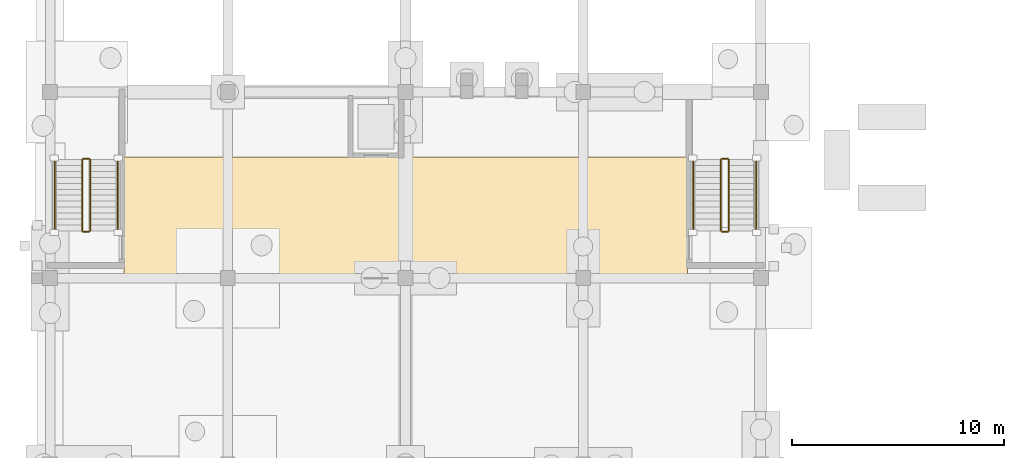
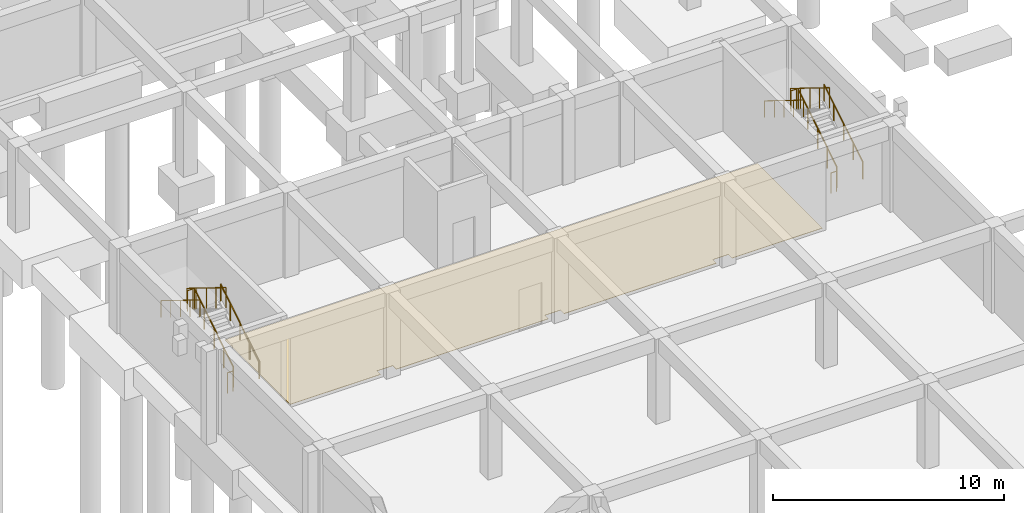
# One storey, part 32 of 41: 12 railings, 1 covering.
"""IFC4 building model written with IfcOpenShell, lengths in metres."""

from ifc_helpers import new_model, si_unit, direction, frame, origin, origin_2d, place, context, subcontext, project, spatial, polyline, circle, outline, extrude, material, layer, layer_set, type_object, element, save


model = new_model("IFC4")

# Units and contexts
model_context = context("Model", 3, precision=1e-05, world=origin(), true_north=direction((0.0, 1.0)))
body_context = subcontext(model_context, "Body", "Model", "MODEL_VIEW")
ifc_project = project(units=[si_unit("LENGTHUNIT", "METRE"), si_unit("AREAUNIT", "SQUARE_METRE"), si_unit("VOLUMEUNIT", "CUBIC_METRE"), si_unit("PLANEANGLEUNIT", "RADIAN"), si_unit("MASSUNIT", "GRAM", prefix="KILO")], contexts=[model_context])

# Site, building, storey
site_placement = place(None, origin())
site = spatial("IfcSite", under=ifc_project, at=site_placement, CompositionType="ELEMENT")
building_placement = place(site_placement, origin())
building = spatial("IfcBuilding", under=site, at=building_placement, Name="Kemercrest Conservatory and Botanical Centre", CompositionType="ELEMENT")
storey_placement = place(building_placement, frame((0.0, 0.0, -4.5)))
storey = spatial("IfcBuildingStorey", under=building, at=storey_placement, Name="B1", CompositionType="ELEMENT", Elevation=-4.5)

# Covering
ifc_material_1 = material(Name="Polished limestone terrazzo and seamless laboratory epoxy flooring", Category="masonry")
ifc_layer = layer(ifc_material_1, 0.02001953125)
ifc_layer_set = layer_set([ifc_layer], Name="Polished limestone terrazzo and seamless laboratory epoxy flooring")
covering_type = type_object("IfcCoveringType", Name="CV-FLR020", PredefinedType="FLOORING", material=ifc_layer_set)
covering_placement = place(storey_placement, origin())
element("IfcCovering", 1, at=covering_placement, inside=storey, type_object=covering_type, Name="Conservatory Basement Lift Lobby terrazzo floor finish", PredefinedType="FLOORING", context=body_context, shape_type="SweptSolid", body=[
    extrude(outline(polyline([(33.590087890625, 52.080078125), (38.1201171875, 52.080078125), (38.1201171875, 57.719970703125), (11.47998046875, 57.719970703125), (11.47998046875, 52.080078125), (16.010009765625, 52.080078125), (16.010009765625, 52.389892578125), (16.7900390625, 52.389892578125), (16.7900390625, 52.080078125), (24.409912109375, 52.080078125), (24.409912109375, 52.389892578125), (25.18994140625, 52.389892578125), (25.18994140625, 52.080078125), (32.81005859375, 52.080078125), (32.81005859375, 52.389892578125), (33.590087890625, 52.389892578125), (33.590087890625, 52.080078125)])), origin(), (0.0, 0.0, 1.0), 0.02001953125),
])

# Railings
ifc_material_2 = material(Name="Painted galvanized steel tubular stair guardrail", Category="steel")
railing_type_1 = type_object("IfcRailingType", Name="GR-STR110", PredefinedType="GUARDRAIL", material=ifc_material_2)
railing_1_placement = place(storey_placement, frame((9.889892578125, 54.239990234375, 0.173095703125)))
element("IfcRailing", 2, at=railing_1_placement, inside=storey, type_object=railing_type_1, Name="B1 ST-V1A stair guard 1", PredefinedType="GUARDRAIL", context=body_context, shape_type="SweptSolid", body=[
    extrude(circle(Radius=0.02392578125, at=origin_2d()), frame((0.0, 0.0, 1.076171875), z_axis=(0.0, 0.850623216509, 0.525775754039), x_axis=(-1.0, 0.0, 0.0)), (0.0, 0.0, 1.0), 3.9501953125),
    extrude(circle(Radius=0.02099609375, at=origin_2d()), origin(), (0.0, 0.0, 1.0), 1.052001953125),
    extrude(circle(Radius=0.02099609375, at=origin_2d()), frame((0.0, 0.840087890625, 0.519287109375)), (0.0, 0.0, 1.0), 1.052001953125),
    extrude(circle(Radius=0.02099609375, at=origin_2d()), frame((0.0, 1.68017578125, 1.03857421875)), (0.0, 0.0, 1.0), 1.052001953125),
    extrude(circle(Radius=0.02099609375, at=origin_2d()), frame((0.0, 2.52001953125, 1.5576171875)), (0.0, 0.0, 1.0), 1.052001953125),
    extrude(circle(Radius=0.02099609375, at=origin_2d()), frame((0.0, 3.360107421875, 2.076904296875)), (0.0, 0.0, 1.0), 1.052001953125),
])
railing_2_placement = place(storey_placement, frame((9.840087890625, 57.64990234375, 2.25)))
element("IfcRailing", 3, at=railing_2_placement, inside=storey, type_object=railing_type_1, Name="B1 ST-V1A stair guard 2", PredefinedType="GUARDRAIL", context=body_context, shape_type="SweptSolid", body=[
    extrude(circle(Radius=0.02392578125, at=origin_2d()), frame((0.0, 0.0, 1.076171875), z_axis=(-1.0, 0.0, 0.0), x_axis=(0.0, -1.0, 0.0)), (0.0, 0.0, 1.0), 0.280029296875),
    extrude(circle(Radius=0.02099609375, at=origin_2d()), origin(), (0.0, 0.0, 1.0), 1.052001953125),
    extrude(circle(Radius=0.02099609375, at=origin_2d()), frame((-0.280029296875, 0.0, 0.0)), (0.0, 0.0, 1.0), 1.052001953125),
])
railing_3_placement = place(storey_placement, frame((9.510009765625, 57.60009765625, 2.423095703125)))
element("IfcRailing", 4, at=railing_3_placement, inside=storey, type_object=railing_type_1, Name="B1 ST-V1A stair guard 3", PredefinedType="GUARDRAIL", context=body_context, shape_type="SweptSolid", body=[
    extrude(circle(Radius=0.02392578125, at=origin_2d()), frame((0.0, 0.0, 1.076171875), z_axis=(0.0, -0.850623216509, 0.525775754039), x_axis=(1.0, 0.0, 0.0)), (0.0, 0.0, 1.0), 3.9501953125),
    extrude(circle(Radius=0.02099609375, at=origin_2d()), origin(), (0.0, 0.0, 1.0), 1.052001953125),
    extrude(circle(Radius=0.02099609375, at=origin_2d()), frame((0.0, -0.840087890625, 0.519287109375)), (0.0, 0.0, 1.0), 1.052001953125),
    extrude(circle(Radius=0.02099609375, at=origin_2d()), frame((0.0, -1.68017578125, 1.03857421875)), (0.0, 0.0, 1.0), 1.052001953125),
    extrude(circle(Radius=0.02099609375, at=origin_2d()), frame((0.0, -2.52001953125, 1.5576171875)), (0.0, 0.0, 1.0), 1.052001953125),
    extrude(circle(Radius=0.02099609375, at=origin_2d()), frame((0.0, -3.360107421875, 2.076904296875)), (0.0, 0.0, 1.0), 1.052001953125),
])
railing_4_placement = place(storey_placement, frame((9.840087890625, 54.18994140625, 0.0)))
element("IfcRailing", 5, at=railing_4_placement, inside=storey, type_object=railing_type_1, Name="B1 ST-V1A stair guard 4", PredefinedType="GUARDRAIL", context=body_context, shape_type="SweptSolid", body=[
    extrude(circle(Radius=0.02392578125, at=origin_2d()), frame((0.0, 0.0, 1.076171875), z_axis=(-1.0, 0.0, 0.0), x_axis=(0.0, -1.0, 0.0)), (0.0, 0.0, 1.0), 0.280029296875),
    extrude(circle(Radius=0.02099609375, at=origin_2d()), origin(), (0.0, 0.0, 1.0), 1.052001953125),
    extrude(circle(Radius=0.02099609375, at=origin_2d()), frame((-0.280029296875, 0.0, 0.0)), (0.0, 0.0, 1.0), 1.052001953125),
])
railing_5_placement = place(storey_placement, frame((40.090087890625, 54.239990234375, 0.173095703125)))
element("IfcRailing", 6, at=railing_5_placement, inside=storey, type_object=railing_type_1, Name="B1 ST-V1B stair guard 1", PredefinedType="GUARDRAIL", context=body_context, shape_type="SweptSolid", body=[
    extrude(circle(Radius=0.02392578125, at=origin_2d()), frame((0.0, 0.0, 1.076171875), z_axis=(0.0, 0.850623216509, 0.525775754039), x_axis=(-1.0, 0.0, 0.0)), (0.0, 0.0, 1.0), 3.9501953125),
    extrude(circle(Radius=0.02099609375, at=origin_2d()), origin(), (0.0, 0.0, 1.0), 1.052001953125),
    extrude(circle(Radius=0.02099609375, at=origin_2d()), frame((0.0, 0.840087890625, 0.519287109375)), (0.0, 0.0, 1.0), 1.052001953125),
    extrude(circle(Radius=0.02099609375, at=origin_2d()), frame((0.0, 1.68017578125, 1.03857421875)), (0.0, 0.0, 1.0), 1.052001953125),
    extrude(circle(Radius=0.02099609375, at=origin_2d()), frame((0.0, 2.52001953125, 1.5576171875)), (0.0, 0.0, 1.0), 1.052001953125),
    extrude(circle(Radius=0.02099609375, at=origin_2d()), frame((0.0, 3.360107421875, 2.076904296875)), (0.0, 0.0, 1.0), 1.052001953125),
])
railing_6_placement = place(storey_placement, frame((40.0400390625, 57.64990234375, 2.25)))
element("IfcRailing", 7, at=railing_6_placement, inside=storey, type_object=railing_type_1, Name="B1 ST-V1B stair guard 2", PredefinedType="GUARDRAIL", context=body_context, shape_type="SweptSolid", body=[
    extrude(circle(Radius=0.02392578125, at=origin_2d()), frame((0.0, 0.0, 1.076171875), z_axis=(-1.0, 0.0, 0.0), x_axis=(0.0, -1.0, 0.0)), (0.0, 0.0, 1.0), 0.280029296875),
    extrude(circle(Radius=0.02099609375, at=origin_2d()), origin(), (0.0, 0.0, 1.0), 1.052001953125),
    extrude(circle(Radius=0.02099609375, at=origin_2d()), frame((-0.280029296875, 0.0, 0.0)), (0.0, 0.0, 1.0), 1.052001953125),
])
railing_7_placement = place(storey_placement, frame((39.7099609375, 57.60009765625, 2.423095703125)))
element("IfcRailing", 8, at=railing_7_placement, inside=storey, type_object=railing_type_1, Name="B1 ST-V1B stair guard 3", PredefinedType="GUARDRAIL", context=body_context, shape_type="SweptSolid", body=[
    extrude(circle(Radius=0.02392578125, at=origin_2d()), frame((0.0, 0.0, 1.076171875), z_axis=(0.0, -0.850623216509, 0.525775754039), x_axis=(1.0, 0.0, 0.0)), (0.0, 0.0, 1.0), 3.9501953125),
    extrude(circle(Radius=0.02099609375, at=origin_2d()), origin(), (0.0, 0.0, 1.0), 1.052001953125),
    extrude(circle(Radius=0.02099609375, at=origin_2d()), frame((0.0, -0.840087890625, 0.519287109375)), (0.0, 0.0, 1.0), 1.052001953125),
    extrude(circle(Radius=0.02099609375, at=origin_2d()), frame((0.0, -1.68017578125, 1.03857421875)), (0.0, 0.0, 1.0), 1.052001953125),
    extrude(circle(Radius=0.02099609375, at=origin_2d()), frame((0.0, -2.52001953125, 1.5576171875)), (0.0, 0.0, 1.0), 1.052001953125),
    extrude(circle(Radius=0.02099609375, at=origin_2d()), frame((0.0, -3.360107421875, 2.076904296875)), (0.0, 0.0, 1.0), 1.052001953125),
])
railing_8_placement = place(storey_placement, frame((40.0400390625, 54.18994140625, 0.0)))
element("IfcRailing", 9, at=railing_8_placement, inside=storey, type_object=railing_type_1, Name="B1 ST-V1B stair guard 4", PredefinedType="GUARDRAIL", context=body_context, shape_type="SweptSolid", body=[
    extrude(circle(Radius=0.02392578125, at=origin_2d()), frame((0.0, 0.0, 1.076171875), z_axis=(-1.0, 0.0, 0.0), x_axis=(0.0, -1.0, 0.0)), (0.0, 0.0, 1.0), 0.280029296875),
    extrude(circle(Radius=0.02099609375, at=origin_2d()), origin(), (0.0, 0.0, 1.0), 1.052001953125),
    extrude(circle(Radius=0.02099609375, at=origin_2d()), frame((-0.280029296875, 0.0, 0.0)), (0.0, 0.0, 1.0), 1.052001953125),
])
ifc_material_3 = material(Name="Brushed stainless steel wall-mounted handrail", Category="steel")
railing_type_2 = type_object("IfcRailingType", Name="HR-STR090", PredefinedType="HANDRAIL", material=ifc_material_3)
railing_9_placement = place(storey_placement, frame((11.18994140625, 54.239990234375, 0.173095703125)))
element("IfcRailing", 10, at=railing_9_placement, inside=storey, type_object=railing_type_2, Name="B1 ST-V1A stair handrail 1", PredefinedType="HANDRAIL", context=body_context, shape_type="SweptSolid", body=[
    extrude(circle(Radius=0.02392578125, at=origin_2d()), frame((0.0, 0.0, 0.8759765625), z_axis=(0.0, 0.850623216509, 0.525775754039), x_axis=(-1.0, 0.0, 0.0)), (0.0, 0.0, 1.0), 3.9501953125),
    extrude(circle(Radius=0.02099609375, at=origin_2d()), origin(), (0.0, 0.0, 1.0), 0.851806640625),
    extrude(circle(Radius=0.02099609375, at=origin_2d()), frame((0.0, 0.840087890625, 0.519287109375)), (0.0, 0.0, 1.0), 0.851806640625),
    extrude(circle(Radius=0.02099609375, at=origin_2d()), frame((0.0, 1.68017578125, 1.03857421875)), (0.0, 0.0, 1.0), 0.851806640625),
    extrude(circle(Radius=0.02099609375, at=origin_2d()), frame((0.0, 2.52001953125, 1.5576171875)), (0.0, 0.0, 1.0), 0.851806640625),
    extrude(circle(Radius=0.02099609375, at=origin_2d()), frame((0.0, 3.360107421875, 2.076904296875)), (0.0, 0.0, 1.0), 0.851806640625),
])
railing_10_placement = place(storey_placement, frame((8.2099609375, 57.60009765625, 2.423095703125)))
element("IfcRailing", 11, at=railing_10_placement, inside=storey, type_object=railing_type_2, Name="B1 ST-V1A stair handrail 2", PredefinedType="HANDRAIL", context=body_context, shape_type="SweptSolid", body=[
    extrude(circle(Radius=0.02392578125, at=origin_2d()), frame((0.0, 0.0, 0.8759765625), z_axis=(0.0, -0.850623216509, 0.525775754039), x_axis=(1.0, 0.0, 0.0)), (0.0, 0.0, 1.0), 3.9501953125),
    extrude(circle(Radius=0.02099609375, at=origin_2d()), origin(), (0.0, 0.0, 1.0), 0.851806640625),
    extrude(circle(Radius=0.02099609375, at=origin_2d()), frame((0.0, -0.840087890625, 0.519287109375)), (0.0, 0.0, 1.0), 0.851806640625),
    extrude(circle(Radius=0.02099609375, at=origin_2d()), frame((0.0, -1.68017578125, 1.03857421875)), (0.0, 0.0, 1.0), 0.851806640625),
    extrude(circle(Radius=0.02099609375, at=origin_2d()), frame((0.0, -2.52001953125, 1.5576171875)), (0.0, 0.0, 1.0), 0.851806640625),
    extrude(circle(Radius=0.02099609375, at=origin_2d()), frame((0.0, -3.360107421875, 2.076904296875)), (0.0, 0.0, 1.0), 0.851806640625),
])
railing_11_placement = place(storey_placement, frame((41.389892578125, 54.239990234375, 0.173095703125)))
element("IfcRailing", 12, at=railing_11_placement, inside=storey, type_object=railing_type_2, Name="B1 ST-V1B stair handrail 1", PredefinedType="HANDRAIL", context=body_context, shape_type="SweptSolid", body=[
    extrude(circle(Radius=0.02392578125, at=origin_2d()), frame((0.0, 0.0, 0.8759765625), z_axis=(0.0, 0.850623216509, 0.525775754039), x_axis=(-1.0, 0.0, 0.0)), (0.0, 0.0, 1.0), 3.9501953125),
    extrude(circle(Radius=0.02099609375, at=origin_2d()), origin(), (0.0, 0.0, 1.0), 0.851806640625),
    extrude(circle(Radius=0.02099609375, at=origin_2d()), frame((0.0, 0.840087890625, 0.519287109375)), (0.0, 0.0, 1.0), 0.851806640625),
    extrude(circle(Radius=0.02099609375, at=origin_2d()), frame((0.0, 1.68017578125, 1.03857421875)), (0.0, 0.0, 1.0), 0.851806640625),
    extrude(circle(Radius=0.02099609375, at=origin_2d()), frame((0.0, 2.52001953125, 1.5576171875)), (0.0, 0.0, 1.0), 0.851806640625),
    extrude(circle(Radius=0.02099609375, at=origin_2d()), frame((0.0, 3.360107421875, 2.076904296875)), (0.0, 0.0, 1.0), 0.851806640625),
])
railing_12_placement = place(storey_placement, frame((38.409912109375, 57.60009765625, 2.423095703125)))
element("IfcRailing", 13, at=railing_12_placement, inside=storey, type_object=railing_type_2, Name="B1 ST-V1B stair handrail 2", PredefinedType="HANDRAIL", context=body_context, shape_type="SweptSolid", body=[
    extrude(circle(Radius=0.02392578125, at=origin_2d()), frame((0.0, 0.0, 0.8759765625), z_axis=(0.0, -0.850623216509, 0.525775754039), x_axis=(1.0, 0.0, 0.0)), (0.0, 0.0, 1.0), 3.9501953125),
    extrude(circle(Radius=0.02099609375, at=origin_2d()), origin(), (0.0, 0.0, 1.0), 0.851806640625),
    extrude(circle(Radius=0.02099609375, at=origin_2d()), frame((0.0, -0.840087890625, 0.519287109375)), (0.0, 0.0, 1.0), 0.851806640625),
    extrude(circle(Radius=0.02099609375, at=origin_2d()), frame((0.0, -1.68017578125, 1.03857421875)), (0.0, 0.0, 1.0), 0.851806640625),
    extrude(circle(Radius=0.02099609375, at=origin_2d()), frame((0.0, -2.52001953125, 1.5576171875)), (0.0, 0.0, 1.0), 0.851806640625),
    extrude(circle(Radius=0.02099609375, at=origin_2d()), frame((0.0, -3.360107421875, 2.076904296875)), (0.0, 0.0, 1.0), 0.851806640625),
])

save(model, "model.ifc")
